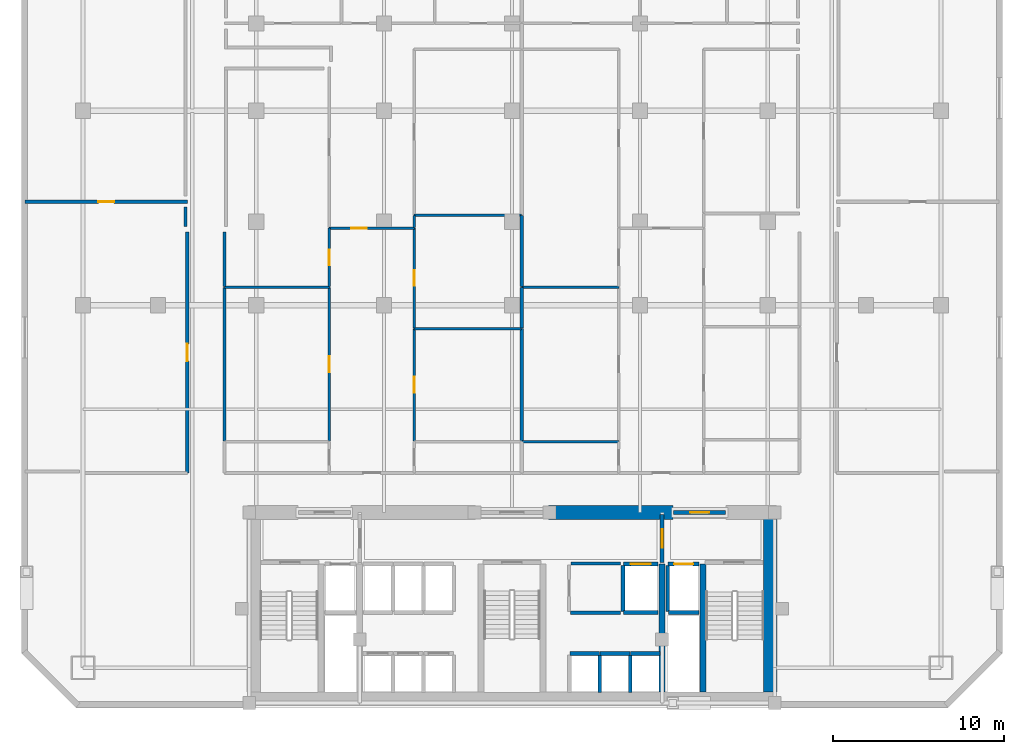
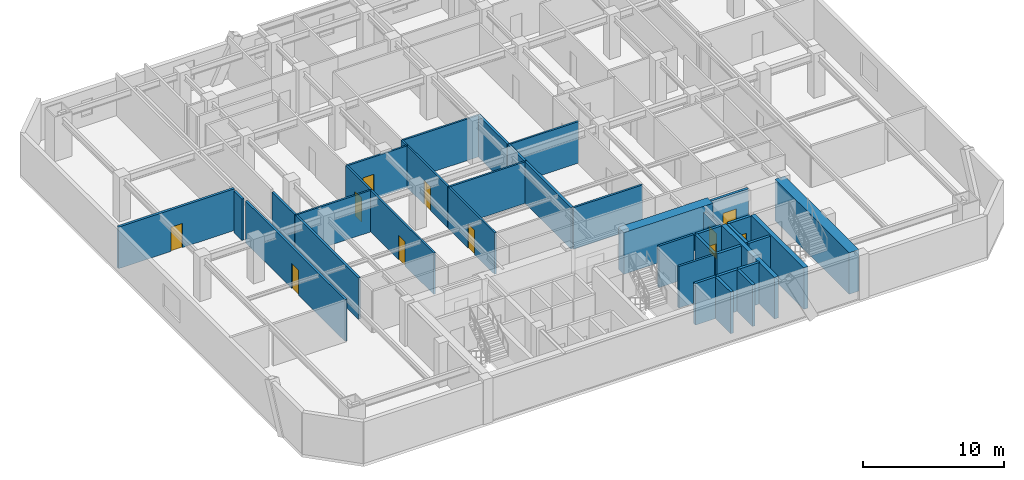
# One storey, part 4 of 8: 38 walls, 11 doors, 11 openings.
"""IFC4 building model written with IfcOpenShell, lengths in metres."""

from ifc_helpers import new_model, si_unit, direction, frame, frame_2d, origin, place, context, subcontext, project, spatial, rectangle, extrude, material, layer, layer_set, type_object, element, fill, save


model = new_model("IFC4")

# Units and contexts
model_context = context("Model", 3, precision=1e-05, world=origin(), true_north=direction((0.0, 1.0)))
body_context = subcontext(model_context, "Body", "Model", "MODEL_VIEW")
ifc_project = project(units=[si_unit("LENGTHUNIT", "METRE"), si_unit("AREAUNIT", "SQUARE_METRE"), si_unit("VOLUMEUNIT", "CUBIC_METRE"), si_unit("PLANEANGLEUNIT", "RADIAN"), si_unit("MASSUNIT", "GRAM", prefix="KILO")], contexts=[model_context])

# Site, building, storey
site_placement = place(None, origin())
site = spatial("IfcSite", under=ifc_project, at=site_placement, CompositionType="ELEMENT")
building_placement = place(site_placement, origin())
building = spatial("IfcBuilding", under=site, at=building_placement, Name="Ventersveld Concourse Tower", CompositionType="ELEMENT")
storey_placement = place(building_placement, frame((0.0, 0.0, 37.5)))
storey = spatial("IfcBuildingStorey", under=building, at=storey_placement, Name="L08", CompositionType="ELEMENT", Elevation=37.5)

# Walls
ifc_material_1 = material(Name="Concrete C60/75", Category="concrete")
ifc_layer_1 = layer(ifc_material_1, 0.35009765625)
ifc_layer_set_1 = layer_set([ifc_layer_1], Name="Concrete C60/75")
wall_type_1 = type_object("IfcWallType", Name="WL-CORE-350L", PredefinedType="SHEAR", material=ifc_layer_set_1)
for number, where, z_axis, x_axis, name in (
    (1, (37.550048828125, 0.919921875, 0.0), (0.0, 0.0, 1.0), (0.0, 1.0, 0.0), "L08 Core Internal Shear Web W-SVL-W"),
    (2, (39.9599609375, 0.919921875, 0.0), (0.0, 0.0, 1.0), (0.0, 1.0, 0.0), "L08 Core Internal Shear Web W-ST2-W"),
):
    element("IfcWall", number, at=place(storey_placement, frame(where, z_axis=z_axis, x_axis=x_axis)), inside=storey, type_object=wall_type_1, Name=name, PredefinedType="SHEAR", context=body_context, shape_type="SweptSolid", body=[
        extrude(rectangle(XDim=7.5, YDim=0.35009765625, at=frame_2d((3.75, 0.0))), origin(), (0.0, 0.0, 1.0), 3.60009765625),
    ])
ifc_layer_2 = layer(ifc_material_1, 0.800048828125)
ifc_layer_set_2 = layer_set([ifc_layer_2], Name="Concrete C60/75")
wall_type_2 = type_object("IfcWallType", Name="WL-CORE-800", PredefinedType="SHEAR", material=ifc_layer_set_2)
wall_1_placement = place(storey_placement, frame((43.89990234375, 0.919921875, 0.0), z_axis=(0.0, 0.0, 1.0), x_axis=(0.0, 1.0, 0.0)))
element("IfcWall", 3, at=wall_1_placement, inside=storey, type_object=wall_type_2, Name="L08 Rear Core East Shear Wall", PredefinedType="SHEAR", context=body_context, shape_type="SweptSolid", body=[
    extrude(rectangle(XDim=10.530029296875, YDim=0.800048828125, at=frame_2d((5.26513671875, 0.0))), origin(), (0.0, 0.0, 1.0), 3.60009765625),
])
wall_2_placement = place(storey_placement, frame((30.89990234375, 11.449951171875, 0.0), z_axis=(0.0, 0.0, 1.0), x_axis=(1.0, 0.0, 0.0)))
element("IfcWall", 4, at=wall_2_placement, inside=storey, type_object=wall_type_2, Name="L08 Rear Core North Shear Wall NMR", PredefinedType="SHEAR", context=body_context, shape_type="SweptSolid", body=[
    extrude(rectangle(XDim=7.300048828125, YDim=0.800048828125, at=frame_2d((3.64990234375, 0.0))), origin(), (0.0, 0.0, 1.0), 3.60009765625),
])
ifc_material_2 = material(Name="Fire-rated autoclaved aerated masonry blockwork", Category="masonry")
ifc_layer_3 = layer(ifc_material_2, 0.179931640625)
ifc_layer_set_3 = layer_set([ifc_layer_3], Name="Fire-rated autoclaved aerated masonry blockwork")
wall_type_3 = type_object("IfcWallType", Name="WL-CORR-180", PredefinedType="PARTITIONING", material=ifc_layer_set_3)
wall_3_placement = place(storey_placement, frame((32.219970703125, 8.4599609375, 0.0), z_axis=(0.0, 0.0, 1.0), x_axis=(1.0, 0.0, 0.0)))
element("IfcWall", 5, at=wall_3_placement, inside=storey, type_object=wall_type_3, Name="L08 Core Top Wall SP-L08-CBAY1", PredefinedType="PARTITIONING", context=body_context, shape_type="SweptSolid", body=[
    extrude(rectangle(XDim=2.880126953125, YDim=0.179931640625, at=frame_2d((1.43994140625, 0.0))), origin(), (0.0, 0.0, 1.0), 3.60009765625),
])
wall_4_placement = place(storey_placement, frame((32.179931640625, 5.570068359375, 0.0), z_axis=(0.0, 0.0, 1.0), x_axis=(1.0, 0.0, 0.0)))
element("IfcWall", 6, at=wall_4_placement, inside=storey, type_object=wall_type_3, Name="L08 Core Bot Wall SP-L08-CBAY1", PredefinedType="PARTITIONING", context=body_context, shape_type="SweptSolid", body=[
    extrude(rectangle(XDim=2.920166015625, YDim=0.179931640625, at=frame_2d((1.4599609375, 0.0))), origin(), (0.0, 0.0, 1.0), 3.60009765625),
])

# Wall, opening, door
wall_5_placement = place(storey_placement, frame((9.7099609375, 13.764892578125, 0.0), z_axis=(0.0, 0.0, 1.0), x_axis=(0.0, 1.0, 0.0)))
wall_5 = element("IfcWall", 7, at=wall_5_placement, inside=storey, type_object=wall_type_3, Name="L08 Interior Partition SP-L08-COR-SP-L08-NWLNG1", PredefinedType="PARTITIONING", context=body_context, shape_type="SweptSolid", body=[
    extrude(rectangle(XDim=14.130126953125, YDim=0.179931640625, at=frame_2d((7.06494140625, 0.0))), origin(), (0.0, 0.0, 1.0), 3.60009765625),
])
opening_1_placement = place(wall_5_placement, frame((6.56494140625, 0.0, 0.0)))
opening_1 = element("IfcOpeningElement", 8, at=opening_1_placement, cuts=wall_5, Name="Opening FD3", PredefinedType="OPENING", context=body_context, shape_type="SweptSolid", body=[
    extrude(rectangle(XDim=1.0, YDim=2.14990234375, at=frame_2d((0.5, 1.074951171875))), frame((0.0, 0.10009765625, 0.0), z_axis=(0.0, -1.0, 0.0), x_axis=(1.0, 0.0, 0.0)), (0.0, 0.0, 1.0), 0.199951171875),
])
ifc_material_3 = material(Name="Solid-core hardwood veneer timber", Category="wood")
door_type_1 = type_object("IfcDoorType", Name="DR-FLAT-100", OperationType="NOTDEFINED", PredefinedType="DOOR", material=ifc_material_3)
door_1_placement = place(opening_1_placement, origin())
door_1 = element("IfcDoor", 9, at=door_1_placement, inside=storey, type_object=door_type_1, Name="L08 Interior Door SP-L08-COR to SP-L08-NWLNG1 (D-L08-0265)", OperationType="SINGLE_SWING_LEFT", OverallHeight=2.14990234375, OverallWidth=1.0, PredefinedType="DOOR", context=body_context, shape_type="SweptSolid", body=[
    extrude(rectangle(XDim=1.0, YDim=2.14990234375, at=frame_2d((0.5, 1.074951171875))), frame((0.0, 0.02490234375, 0.0), z_axis=(0.0, -1.0, 0.0), x_axis=(1.0, 0.0, 0.0)), (0.0, 0.0, 1.0), 0.050048828125),
])
fill(opening_1, door_1)

# Walls
wall_6_placement = place(storey_placement, frame((11.889892578125, 15.635009765625, 0.0), z_axis=(0.0, 0.0, 1.0), x_axis=(0.0, 1.0, 0.0)))
element("IfcWall", 10, at=wall_6_placement, inside=storey, type_object=wall_type_3, Name="L08 Interior Partition SP-L08-COR-SP-L08-08N1-DENL", PredefinedType="PARTITIONING", context=body_context, shape_type="SweptSolid", body=[
    extrude(rectangle(XDim=9.019775390625, YDim=0.179931640625, at=frame_2d((4.509765625, 0.0))), origin(), (0.0, 0.0, 1.0), 3.60009765625),
])
wall_7_placement = place(storey_placement, frame((11.889892578125, 24.684814453125, 0.0), z_axis=(0.0, 0.0, 1.0), x_axis=(0.0, 1.0, 0.0)))
element("IfcWall", 11, at=wall_7_placement, inside=storey, type_object=wall_type_3, Name="L08 Interior Partition SP-L08-COR-SP-L08-08N1-DENL2", PredefinedType="PARTITIONING", context=body_context, shape_type="SweptSolid", body=[
    extrude(rectangle(XDim=3.210205078125, YDim=0.179931640625, at=frame_2d((1.60498046875, 0.0))), origin(), (0.0, 0.0, 1.0), 3.60009765625),
])
wall_8_placement = place(storey_placement, frame((9.6201171875, 29.344970703125, 0.0), z_axis=(0.0, 0.0, 1.0), x_axis=(0.0, -1.0, 0.0)))
element("IfcWall", 12, at=wall_8_placement, inside=storey, type_object=wall_type_3, Name="L08 Room Enclosure Wall SP-L08-NWLNG1", PredefinedType="PARTITIONING", context=body_context, shape_type="SweptSolid", body=[
    extrude(rectangle(XDim=1.135009765625, YDim=0.179931640625, at=frame_2d((0.5673828125, 0.0))), origin(), (0.0, 0.0, 1.0), 3.60009765625),
])

# Wall, opening, door
ifc_layer_4 = layer(ifc_material_2, 0.199951171875)
ifc_layer_set_4 = layer_set([ifc_layer_4], Name="Fire-rated autoclaved aerated masonry blockwork")
wall_type_4 = type_object("IfcWallType", Name="WL-DEMISE-200", PredefinedType="PARTITIONING", material=ifc_layer_set_4)
wall_9_placement = place(storey_placement, frame((0.2099609375, 29.669921875, 0.0), z_axis=(0.0, 0.0, 1.0), x_axis=(1.0, 0.0, 0.0)))
wall_9 = element("IfcWall", 13, at=wall_9_placement, inside=storey, type_object=wall_type_4, Name="L08 Interior Partition SP-L08-NWLNG1-SP-L08-NWLNG2", PredefinedType="PARTITIONING", context=body_context, shape_type="SweptSolid", body=[
    extrude(rectangle(XDim=9.505126953125, YDim=0.199951171875, at=frame_2d((4.75244140625, 0.0))), origin(), (0.0, 0.0, 1.0), 3.60009765625),
])
opening_2_placement = place(wall_9_placement, frame((4.29248046875, 0.0, 0.0)))
opening_2 = element("IfcOpeningElement", 14, at=opening_2_placement, cuts=wall_9, Name="Opening ID1", PredefinedType="OPENING", context=body_context, shape_type="SweptSolid", body=[
    extrude(rectangle(XDim=0.919921875, YDim=2.10009765625, at=frame_2d((0.4599609375, 1.050048828125))), frame((0.0, 0.10986328125, 0.0), z_axis=(0.0, -1.0, 0.0), x_axis=(1.0, 0.0, 0.0)), (0.0, 0.0, 1.0), 0.219970703125),
])
door_type_2 = type_object("IfcDoorType", Name="DR-ROOM-092", OperationType="NOTDEFINED", PredefinedType="DOOR", material=ifc_material_3)
door_2_placement = place(opening_2_placement, origin())
door_2 = element("IfcDoor", 15, at=door_2_placement, inside=storey, type_object=door_type_2, Name="L08 Interior Door SP-L08-NWLNG1 to SP-L08-NWLNG2 (D-L08-0269)", OperationType="SINGLE_SWING_LEFT", OverallHeight=2.10009765625, OverallWidth=0.919921875, PredefinedType="DOOR", context=body_context, shape_type="SweptSolid", body=[
    extrude(rectangle(XDim=0.919921875, YDim=2.10009765625, at=frame_2d((0.4599609375, 1.050048828125))), frame((0.0, 0.02490234375, 0.0), z_axis=(0.0, -1.0, 0.0), x_axis=(1.0, 0.0, 0.0)), (0.0, 0.0, 1.0), 0.050048828125),
])
fill(opening_2, door_2)

# Walls
wall_10_placement = place(storey_placement, frame((29.314208984375, 15.635009765625, 0.0), z_axis=(0.0, 0.0, 1.0), x_axis=(0.0, 1.0, 0.0)))
element("IfcWall", 16, at=wall_10_placement, inside=storey, type_object=wall_type_4, Name="L08 Interior Partition SP-L08-08N1-DENR-SP-L08-08N2-DENL", PredefinedType="PARTITIONING", context=body_context, shape_type="SweptSolid", body=[
    extrude(rectangle(XDim=6.602783203125, YDim=0.199951171875, at=frame_2d((3.30126953125, 0.0))), origin(), (0.0, 0.0, 1.0), 3.60009765625),
])
wall_11_placement = place(storey_placement, frame((29.314208984375, 22.267822265625, 0.0), z_axis=(0.0, 0.0, 1.0), x_axis=(0.0, 1.0, 0.0)))
element("IfcWall", 17, at=wall_11_placement, inside=storey, type_object=wall_type_4, Name="L08 Interior Partition SP-L08-08N1-DENS-SP-L08-08N2-DENL", PredefinedType="PARTITIONING", context=body_context, shape_type="SweptSolid", body=[
    extrude(rectangle(XDim=2.386962890625, YDim=0.199951171875, at=frame_2d((1.193359375, 0.0))), origin(), (0.0, 0.0, 1.0), 3.60009765625),
])
wall_12_placement = place(storey_placement, frame((29.314208984375, 24.684814453125, 0.0), z_axis=(0.0, 0.0, 1.0), x_axis=(0.0, 1.0, 0.0)))
element("IfcWall", 18, at=wall_12_placement, inside=storey, type_object=wall_type_4, Name="L08 Interior Partition SP-L08-08N1-DENS-SP-L08-08N2-DENL2", PredefinedType="PARTITIONING", context=body_context, shape_type="SweptSolid", body=[
    extrude(rectangle(XDim=4.18603515625, YDim=0.199951171875, at=frame_2d((2.093017578125, 0.0))), origin(), (0.0, 0.0, 1.0), 3.60009765625),
])
ifc_layer_5 = layer(ifc_material_2, 0.219970703125)
ifc_layer_set_5 = layer_set([ifc_layer_5], Name="Fire-rated autoclaved aerated masonry blockwork")
wall_type_5 = type_object("IfcWallType", Name="WL-HOIST-220", PredefinedType="SOLIDWALL", material=ifc_layer_set_5)
wall_13_placement = place(storey_placement, frame((37.919921875, 5.590087890625, 0.0), z_axis=(0.0, 0.0, 1.0), x_axis=(1.0, 0.0, 0.0)))
element("IfcWall", 19, at=wall_13_placement, inside=storey, type_object=wall_type_5, Name="L08 Lift Hoistway Back Wall FFL-02", PredefinedType="SOLIDWALL", context=body_context, shape_type="SweptSolid", body=[
    extrude(rectangle(XDim=1.780029296875, YDim=0.219970703125, at=frame_2d((0.89013671875, 0.0))), origin(), (0.0, 0.0, 1.0), 3.60009765625),
])
wall_14_placement = place(storey_placement, frame((37.8798828125, 5.64990234375, 0.0), z_axis=(0.0, 0.0, 1.0), x_axis=(0.0, 1.0, 0.0)))
element("IfcWall", 20, at=wall_14_placement, inside=storey, type_object=wall_type_5, Name="L08 Lift Hoistway Side Wall FFL-02W", PredefinedType="SOLIDWALL", context=body_context, shape_type="SweptSolid", body=[
    extrude(rectangle(XDim=2.7001953125, YDim=0.219970703125, at=frame_2d((1.35009765625, 0.0))), origin(), (0.0, 0.0, 1.0), 3.60009765625),
])

# Wall, opening, door
wall_15_placement = place(storey_placement, frame((37.89990234375, 8.429931640625, 0.0), z_axis=(0.0, 0.0, 1.0), x_axis=(1.0, 0.0, 0.0)))
wall_15 = element("IfcWall", 21, at=wall_15_placement, inside=storey, type_object=wall_type_5, Name="L08 Lift Hoistway Front Wall FFL-02", PredefinedType="SOLIDWALL", context=body_context, shape_type="SweptSolid", body=[
    extrude(rectangle(XDim=1.820068359375, YDim=0.219970703125, at=frame_2d((0.91015625, 0.0))), origin(), (0.0, 0.0, 1.0), 3.60009765625),
])
opening_3_placement = place(wall_15_placement, frame((0.35009765625, 0.0, 0.0)))
opening_3 = element("IfcOpeningElement", 22, at=opening_3_placement, cuts=wall_15, Name="Opening LD1", PredefinedType="OPENING", context=body_context, shape_type="SweptSolid", body=[
    extrude(rectangle(XDim=1.1201171875, YDim=2.25, at=frame_2d((0.56005859375, 1.125))), frame((0.0, 0.1201171875, 0.0), z_axis=(0.0, -1.0, 0.0), x_axis=(1.0, 0.0, 0.0)), (0.0, 0.0, 1.0), 0.239990234375),
])
ifc_material_4 = material(Name="Brushed stainless steel 316", Category="steel")
door_type_3 = type_object("IfcDoorType", Name="LD-FF-112", OperationType="SLIDING_TO_LEFT", PredefinedType="DOOR", material=ifc_material_4)
door_3_placement = place(opening_3_placement, origin())
door_3 = element("IfcDoor", 23, at=door_3_placement, inside=storey, type_object=door_type_3, Name="L08 Lift landing door FFL-02 (LD-L08-FFL-02)", OperationType="SLIDING_TO_RIGHT", OverallHeight=2.25, OverallWidth=1.1201171875, PredefinedType="DOOR", context=body_context, shape_type="SweptSolid", body=[
    extrude(rectangle(XDim=1.1201171875, YDim=2.25, at=frame_2d((0.56005859375, 1.125))), frame((0.0, 0.02490234375, 0.0), z_axis=(0.0, -1.0, 0.0), x_axis=(1.0, 0.0, 0.0)), (0.0, 0.0, 1.0), 0.050048828125),
])
fill(opening_3, door_3)

# Walls
wall_16_placement = place(storey_placement, frame((35.300048828125, 5.590087890625, 0.0), z_axis=(0.0, 0.0, 1.0), x_axis=(1.0, 0.0, 0.0)))
element("IfcWall", 24, at=wall_16_placement, inside=storey, type_object=wall_type_5, Name="L08 Lift Hoistway Back Wall SVL-01", PredefinedType="SOLIDWALL", context=body_context, shape_type="SweptSolid", body=[
    extrude(rectangle(XDim=2.0, YDim=0.219970703125, at=frame_2d((1.0, 0.0))), origin(), (0.0, 0.0, 1.0), 3.60009765625),
])
wall_17_placement = place(storey_placement, frame((35.260009765625, 5.64990234375, 0.0), z_axis=(0.0, 0.0, 1.0), x_axis=(0.0, 1.0, 0.0)))
element("IfcWall", 25, at=wall_17_placement, inside=storey, type_object=wall_type_5, Name="L08 Lift Hoistway Side Wall SVL-01W", PredefinedType="SOLIDWALL", context=body_context, shape_type="SweptSolid", body=[
    extrude(rectangle(XDim=2.7001953125, YDim=0.219970703125, at=frame_2d((1.35009765625, 0.0))), origin(), (0.0, 0.0, 1.0), 3.60009765625),
])

# Wall, opening, door
wall_18_placement = place(storey_placement, frame((35.280029296875, 8.429931640625, 0.0), z_axis=(0.0, 0.0, 1.0), x_axis=(1.0, 0.0, 0.0)))
wall_18 = element("IfcWall", 26, at=wall_18_placement, inside=storey, type_object=wall_type_5, Name="L08 Lift Hoistway Front Wall SVL-01", PredefinedType="SOLIDWALL", context=body_context, shape_type="SweptSolid", body=[
    extrude(rectangle(XDim=2.0400390625, YDim=0.219970703125, at=frame_2d((1.02001953125, 0.0))), origin(), (0.0, 0.0, 1.0), 3.60009765625),
])
opening_4_placement = place(wall_18_placement, frame((0.429931640625, 0.0, 0.0)))
opening_4 = element("IfcOpeningElement", 27, at=opening_4_placement, cuts=wall_18, Name="Opening LD2", PredefinedType="OPENING", context=body_context, shape_type="SweptSolid", body=[
    extrude(rectangle(XDim=1.179931640625, YDim=2.199951171875, at=frame_2d((0.58984375, 1.10009765625))), frame((0.0, 0.1201171875, 0.0), z_axis=(0.0, -1.0, 0.0), x_axis=(1.0, 0.0, 0.0)), (0.0, 0.0, 1.0), 0.239990234375),
])
door_type_4 = type_object("IfcDoorType", Name="LD-PAX-118", OperationType="SLIDING_TO_LEFT", PredefinedType="DOOR", material=ifc_material_4)
door_4_placement = place(opening_4_placement, origin())
door_4 = element("IfcDoor", 28, at=door_4_placement, inside=storey, type_object=door_type_4, Name="L08 Lift landing door SVL-01 (LD-L08-SVL-01)", OperationType="SLIDING_TO_LEFT", OverallHeight=2.199951171875, OverallWidth=1.179931640625, PredefinedType="DOOR", context=body_context, shape_type="SweptSolid", body=[
    extrude(rectangle(XDim=1.179931640625, YDim=2.199951171875, at=frame_2d((0.58984375, 1.10009765625))), frame((0.0, 0.02490234375, 0.0), z_axis=(0.0, -1.0, 0.0), x_axis=(1.0, 0.0, 0.0)), (0.0, 0.0, 1.0), 0.050048828125),
])
fill(opening_4, door_4)

# Walls
wall_19_placement = place(storey_placement, frame((33.89990234375, 0.89990234375, 0.0), z_axis=(0.0, 0.0, 1.0), x_axis=(0.0, 1.0, 0.0)))
element("IfcWall", 29, at=wall_19_placement, inside=storey, type_object=wall_type_5, Name="L08 Lift Hoistway Side Wall PM-01E", PredefinedType="SOLIDWALL", context=body_context, shape_type="SweptSolid", body=[
    extrude(rectangle(XDim=2.2001953125, YDim=0.219970703125, at=frame_2d((1.10009765625, 0.0))), origin(), (0.0, 0.0, 1.0), 3.60009765625),
])
wall_20_placement = place(storey_placement, frame((32.139892578125, 3.179931640625, 0.0), z_axis=(0.0, 0.0, 1.0), x_axis=(1.0, 0.0, 0.0)))
element("IfcWall", 30, at=wall_20_placement, inside=storey, type_object=wall_type_5, Name="L08 Lift Hoistway Front Wall PM-01", PredefinedType="SOLIDWALL", context=body_context, shape_type="SweptSolid", body=[
    extrude(rectangle(XDim=1.739990234375, YDim=0.219970703125, at=frame_2d((0.8701171875, 0.0))), origin(), (0.0, 0.0, 1.0), 3.60009765625),
])
wall_21_placement = place(storey_placement, frame((35.679931640625, 0.89990234375, 0.0), z_axis=(0.0, 0.0, 1.0), x_axis=(0.0, 1.0, 0.0)))
element("IfcWall", 31, at=wall_21_placement, inside=storey, type_object=wall_type_5, Name="L08 Lift Hoistway Side Wall PM-02E", PredefinedType="SOLIDWALL", context=body_context, shape_type="SweptSolid", body=[
    extrude(rectangle(XDim=2.2001953125, YDim=0.219970703125, at=frame_2d((1.10009765625, 0.0))), origin(), (0.0, 0.0, 1.0), 3.60009765625),
])
for number, where, z_axis, x_axis, name in (
    (32, (33.919921875, 3.179931640625, 0.0), (0.0, 0.0, 1.0), (1.0, 0.0, 0.0), "L08 Lift Hoistway Front Wall PM-02"),
    (33, (35.699951171875, 3.179931640625, 0.0), (0.0, 0.0, 1.0), (1.0, 0.0, 0.0), "L08 Lift Hoistway Front Wall PM-03"),
):
    element("IfcWall", number, at=place(storey_placement, frame(where, z_axis=z_axis, x_axis=x_axis)), inside=storey, type_object=wall_type_5, Name=name, PredefinedType="SOLIDWALL", context=body_context, shape_type="SweptSolid", body=[
        extrude(rectangle(XDim=1.739990234375, YDim=0.219970703125, at=frame_2d((0.8701171875, 0.0))), origin(), (0.0, 0.0, 1.0), 3.60009765625),
    ])

# Wall, opening, door
wall_22_placement = place(storey_placement, frame((37.550048828125, 8.52001953125, 0.0), z_axis=(0.0, 0.0, 1.0), x_axis=(0.0, 1.0, 0.0)))
wall_22 = element("IfcWall", 34, at=wall_22_placement, inside=storey, type_object=wall_type_5, Name="L08 Firefighting Lobby Smoke-Stop Wall FFLE-SEP", PredefinedType="SOLIDWALL", context=body_context, shape_type="SweptSolid", body=[
    extrude(rectangle(XDim=2.800048828125, YDim=0.219970703125, at=frame_2d((1.39990234375, 0.0))), origin(), (0.0, 0.0, 1.0), 3.055419921875),
])
opening_5_placement = place(wall_22_placement, frame((0.85009765625, 0.0, 0.0)))
opening_5 = element("IfcOpeningElement", 35, at=opening_5_placement, cuts=wall_22, Name="Opening FD2", PredefinedType="OPENING", context=body_context, shape_type="SweptSolid", body=[
    extrude(rectangle(XDim=1.10009765625, YDim=2.199951171875, at=frame_2d((0.550048828125, 1.10009765625))), frame((0.0, 0.1201171875, 0.0), z_axis=(0.0, -1.0, 0.0), x_axis=(1.0, 0.0, 0.0)), (0.0, 0.0, 1.0), 0.239990234375),
])
ifc_material_5 = material(Name="Galvanised painted steel", Category="steel")
door_type_5 = type_object("IfcDoorType", Name="DR-FFL-110", OperationType="NOTDEFINED", PredefinedType="DOOR", material=ifc_material_5)
door_5_placement = place(opening_5_placement, origin())
door_5 = element("IfcDoor", 36, at=door_5_placement, inside=storey, type_object=door_type_5, Name="L08 Firefighting Lobby Door FFLE-SEP (FD-L08-0260)", OperationType="SINGLE_SWING_RIGHT", OverallHeight=2.199951171875, OverallWidth=1.10009765625, PredefinedType="DOOR", context=body_context, shape_type="SweptSolid", body=[
    extrude(rectangle(XDim=1.10009765625, YDim=2.199951171875, at=frame_2d((0.550048828125, 1.10009765625))), frame((0.0, 0.02490234375, 0.0), z_axis=(0.0, -1.0, 0.0), x_axis=(1.0, 0.0, 0.0)), (0.0, 0.0, 1.0), 0.050048828125),
])
fill(opening_5, door_5)

wall_23_placement = place(storey_placement, frame((38.22998046875, 11.449951171875, 0.0), z_axis=(0.0, 0.0, 1.0), x_axis=(1.0, 0.0, 0.0)))
wall_23 = element("IfcWall", 37, at=wall_23_placement, inside=storey, type_object=wall_type_5, Name="L08 Core North Fire Portal FFLE-OUT", PredefinedType="SOLIDWALL", context=body_context, shape_type="SweptSolid", body=[
    extrude(rectangle(XDim=3.0400390625, YDim=0.219970703125, at=frame_2d((1.52001953125, 0.0))), origin(), (0.0, 0.0, 1.0), 3.60009765625),
])
opening_6_placement = place(wall_23_placement, frame((0.969970703125, 0.0, 0.0)))
opening_6 = element("IfcOpeningElement", 38, at=opening_6_placement, cuts=wall_23, Name="Opening FD2", PredefinedType="OPENING", context=body_context, shape_type="SweptSolid", body=[
    extrude(rectangle(XDim=1.10009765625, YDim=2.199951171875, at=frame_2d((0.550048828125, 1.10009765625))), frame((0.0, 0.1201171875, 0.0), z_axis=(0.0, -1.0, 0.0), x_axis=(1.0, 0.0, 0.0)), (0.0, 0.0, 1.0), 0.239990234375),
])
door_6_placement = place(opening_6_placement, origin())
door_6 = element("IfcDoor", 39, at=door_6_placement, inside=storey, type_object=door_type_5, Name="L08 Core Lobby Fire Door FFLE-OUT (FD-L08-0263)", OperationType="SINGLE_SWING_LEFT", OverallHeight=2.199951171875, OverallWidth=1.10009765625, PredefinedType="DOOR", context=body_context, shape_type="SweptSolid", body=[
    extrude(rectangle(XDim=1.10009765625, YDim=2.199951171875, at=frame_2d((0.550048828125, 1.10009765625))), frame((0.0, 0.02490234375, 0.0), z_axis=(0.0, -1.0, 0.0), x_axis=(1.0, 0.0, 0.0)), (0.0, 0.0, 1.0), 0.050048828125),
])
fill(opening_6, door_6)

ifc_material_6 = material(Name="Autoclaved aerated masonry blockwork", Category="masonry")
ifc_layer_6 = layer(ifc_material_6, 0.14990234375)
ifc_layer_set_6 = layer_set([ifc_layer_6], Name="Autoclaved aerated masonry blockwork")
wall_type_6 = type_object("IfcWallType", Name="WL-INT-150", PredefinedType="PARTITIONING", material=ifc_layer_set_6)
wall_24_placement = place(storey_placement, frame((18.035400390625, 28.11669921875, 0.0), z_axis=(0.0, 0.0, 1.0), x_axis=(1.0, 0.0, 0.0)))
wall_24 = element("IfcWall", 40, at=wall_24_placement, inside=storey, type_object=wall_type_6, Name="L08 Interior Partition SP-L08-08N1-FOY-SP-L08-08N1-LIV", PredefinedType="PARTITIONING", context=body_context, shape_type="SweptSolid", body=[
    extrude(rectangle(XDim=4.989990234375, YDim=0.14990234375, at=frame_2d((2.4951171875, 0.0))), origin(), (0.0, 0.0, 1.0), 3.60009765625),
])
opening_7_placement = place(wall_24_placement, frame((1.28662109375, 0.0, 0.0)))
opening_7 = element("IfcOpeningElement", 41, at=opening_7_placement, cuts=wall_24, Name="Opening ID1", PredefinedType="OPENING", context=body_context, shape_type="SweptSolid", body=[
    extrude(rectangle(XDim=0.919921875, YDim=2.10009765625, at=frame_2d((0.4599609375, 1.050048828125))), frame((0.0, 0.0849609375, 0.0), z_axis=(0.0, -1.0, 0.0), x_axis=(1.0, 0.0, 0.0)), (0.0, 0.0, 1.0), 0.169921875),
])
door_7_placement = place(opening_7_placement, origin())
door_7 = element("IfcDoor", 42, at=door_7_placement, inside=storey, type_object=door_type_2, Name="L08 Interior Door SP-L08-08N1-FOY to SP-L08-08N1-LIV (D-L08-0271)", OperationType="SINGLE_SWING_LEFT", OverallHeight=2.10009765625, OverallWidth=0.919921875, PredefinedType="DOOR", context=body_context, shape_type="SweptSolid", body=[
    extrude(rectangle(XDim=0.919921875, YDim=2.10009765625, at=frame_2d((0.4599609375, 1.050048828125))), frame((0.0, 0.02490234375, 0.0), z_axis=(0.0, -1.0, 0.0), x_axis=(1.0, 0.0, 0.0)), (0.0, 0.0, 1.0), 0.050048828125),
])
fill(opening_7, door_7)

wall_25_placement = place(storey_placement, frame((18.040283203125, 15.635009765625, 0.0), z_axis=(0.0, 0.0, 1.0), x_axis=(0.0, 1.0, 0.0)))
wall_25 = element("IfcWall", 43, at=wall_25_placement, inside=storey, type_object=wall_type_6, Name="L08 Interior Partition SP-L08-08N1-FOY-SP-L08-08N1-DENL", PredefinedType="PARTITIONING", context=body_context, shape_type="SweptSolid", body=[
    extrude(rectangle(XDim=9.019775390625, YDim=0.14990234375, at=frame_2d((4.509765625, 0.0))), origin(), (0.0, 0.0, 1.0), 3.60009765625),
])
opening_8_placement = place(wall_25_placement, frame((4.050048828125, 0.0, 0.0)))
opening_8 = element("IfcOpeningElement", 44, at=opening_8_placement, cuts=wall_25, Name="Opening ID1", PredefinedType="OPENING", context=body_context, shape_type="SweptSolid", body=[
    extrude(rectangle(XDim=0.919921875, YDim=2.10009765625, at=frame_2d((0.4599609375, 1.050048828125))), frame((0.0, 0.0849609375, 0.0), z_axis=(0.0, -1.0, 0.0), x_axis=(1.0, 0.0, 0.0)), (0.0, 0.0, 1.0), 0.169921875),
])
door_8_placement = place(opening_8_placement, origin())
door_8 = element("IfcDoor", 45, at=door_8_placement, inside=storey, type_object=door_type_2, Name="L08 Interior Door SP-L08-08N1-FOY to SP-L08-08N1-DENL (D-L08-0273)", OperationType="SINGLE_SWING_LEFT", OverallHeight=2.10009765625, OverallWidth=0.919921875, PredefinedType="DOOR", context=body_context, shape_type="SweptSolid", body=[
    extrude(rectangle(XDim=0.919921875, YDim=2.10009765625, at=frame_2d((0.4599609375, 1.050048828125))), frame((0.0, 0.02490234375, 0.0), z_axis=(0.0, -1.0, 0.0), x_axis=(1.0, 0.0, 0.0)), (0.0, 0.0, 1.0), 0.050048828125),
])
fill(opening_8, door_8)

wall_26_placement = place(storey_placement, frame((18.040283203125, 24.684814453125, 0.0), z_axis=(0.0, 0.0, 1.0), x_axis=(0.0, 1.0, 0.0)))
wall_26 = element("IfcWall", 46, at=wall_26_placement, inside=storey, type_object=wall_type_6, Name="L08 Interior Partition SP-L08-08N1-FOY-SP-L08-08N1-DENL2", PredefinedType="PARTITIONING", context=body_context, shape_type="SweptSolid", body=[
    extrude(rectangle(XDim=3.436767578125, YDim=0.14990234375, at=frame_2d((1.71826171875, 0.0))), origin(), (0.0, 0.0, 1.0), 3.60009765625),
])
opening_9_placement = place(wall_26_placement, frame((1.25830078125, 0.0, 0.0)))
opening_9 = element("IfcOpeningElement", 47, at=opening_9_placement, cuts=wall_26, Name="Opening ID1", PredefinedType="OPENING", context=body_context, shape_type="SweptSolid", body=[
    extrude(rectangle(XDim=0.919921875, YDim=2.10009765625, at=frame_2d((0.4599609375, 1.050048828125))), frame((0.0, 0.0849609375, 0.0), z_axis=(0.0, -1.0, 0.0), x_axis=(1.0, 0.0, 0.0)), (0.0, 0.0, 1.0), 0.169921875),
])
door_9_placement = place(opening_9_placement, origin())
door_9 = element("IfcDoor", 48, at=door_9_placement, inside=storey, type_object=door_type_2, Name="L08 Interior Door SP-L08-08N1-FOY to SP-L08-08N1-DENL2 (D-L08-0274)", OperationType="SINGLE_SWING_RIGHT", OverallHeight=2.10009765625, OverallWidth=0.919921875, PredefinedType="DOOR", context=body_context, shape_type="SweptSolid", body=[
    extrude(rectangle(XDim=0.919921875, YDim=2.10009765625, at=frame_2d((0.4599609375, 1.050048828125))), frame((0.0, 0.02490234375, 0.0), z_axis=(0.0, -1.0, 0.0), x_axis=(1.0, 0.0, 0.0)), (0.0, 0.0, 1.0), 0.050048828125),
])
fill(opening_9, door_9)

wall_27_placement = place(storey_placement, frame((23.020263671875, 15.635009765625, 0.0), z_axis=(0.0, 0.0, 1.0), x_axis=(0.0, 1.0, 0.0)))
wall_27 = element("IfcWall", 49, at=wall_27_placement, inside=storey, type_object=wall_type_6, Name="L08 Interior Partition SP-L08-08N1-FOY-SP-L08-08N1-DENR", PredefinedType="PARTITIONING", context=body_context, shape_type="SweptSolid", body=[
    extrude(rectangle(XDim=6.602783203125, YDim=0.14990234375, at=frame_2d((3.30126953125, 0.0))), origin(), (0.0, 0.0, 1.0), 3.60009765625),
])
opening_10_placement = place(wall_27_placement, frame((2.841552734375, 0.0, 0.0)))
opening_10 = element("IfcOpeningElement", 50, at=opening_10_placement, cuts=wall_27, Name="Opening ID1", PredefinedType="OPENING", context=body_context, shape_type="SweptSolid", body=[
    extrude(rectangle(XDim=0.919921875, YDim=2.10009765625, at=frame_2d((0.4599609375, 1.050048828125))), frame((0.0, 0.0849609375, 0.0), z_axis=(0.0, -1.0, 0.0), x_axis=(1.0, 0.0, 0.0)), (0.0, 0.0, 1.0), 0.169921875),
])
door_10_placement = place(opening_10_placement, origin())
door_10 = element("IfcDoor", 51, at=door_10_placement, inside=storey, type_object=door_type_2, Name="L08 Interior Door SP-L08-08N1-FOY to SP-L08-08N1-DENR (D-L08-0276)", OperationType="SINGLE_SWING_RIGHT", OverallHeight=2.10009765625, OverallWidth=0.919921875, PredefinedType="DOOR", context=body_context, shape_type="SweptSolid", body=[
    extrude(rectangle(XDim=0.919921875, YDim=2.10009765625, at=frame_2d((0.4599609375, 1.050048828125))), frame((0.0, 0.02490234375, 0.0), z_axis=(0.0, -1.0, 0.0), x_axis=(1.0, 0.0, 0.0)), (0.0, 0.0, 1.0), 0.050048828125),
])
fill(opening_10, door_10)

wall_28_placement = place(storey_placement, frame((23.020263671875, 22.267822265625, 0.0), z_axis=(0.0, 0.0, 1.0), x_axis=(0.0, 1.0, 0.0)))
wall_28 = element("IfcWall", 52, at=wall_28_placement, inside=storey, type_object=wall_type_6, Name="L08 Interior Partition SP-L08-08N1-FOY-SP-L08-08N1-DENS", PredefinedType="PARTITIONING", context=body_context, shape_type="SweptSolid", body=[
    extrude(rectangle(XDim=5.853759765625, YDim=0.14990234375, at=frame_2d((2.9267578125, 0.0))), origin(), (0.0, 0.0, 1.0), 3.60009765625),
])
opening_11_placement = place(wall_28_placement, frame((2.466796875, 0.0, 0.0)))
opening_11 = element("IfcOpeningElement", 53, at=opening_11_placement, cuts=wall_28, Name="Opening ID1", PredefinedType="OPENING", context=body_context, shape_type="SweptSolid", body=[
    extrude(rectangle(XDim=0.919921875, YDim=2.10009765625, at=frame_2d((0.4599609375, 1.050048828125))), frame((0.0, 0.0849609375, 0.0), z_axis=(0.0, -1.0, 0.0), x_axis=(1.0, 0.0, 0.0)), (0.0, 0.0, 1.0), 0.169921875),
])
door_11_placement = place(opening_11_placement, origin())
door_11 = element("IfcDoor", 54, at=door_11_placement, inside=storey, type_object=door_type_2, Name="L08 Interior Door SP-L08-08N1-FOY to SP-L08-08N1-DENS (D-L08-0277)", OperationType="SINGLE_SWING_LEFT", OverallHeight=2.10009765625, OverallWidth=0.919921875, PredefinedType="DOOR", context=body_context, shape_type="SweptSolid", body=[
    extrude(rectangle(XDim=0.919921875, YDim=2.10009765625, at=frame_2d((0.4599609375, 1.050048828125))), frame((0.0, 0.02490234375, 0.0), z_axis=(0.0, -1.0, 0.0), x_axis=(1.0, 0.0, 0.0)), (0.0, 0.0, 1.0), 0.050048828125),
])
fill(opening_11, door_11)

# Walls
wall_29_placement = place(storey_placement, frame((23.020263671875, 28.151611328125, 0.0), z_axis=(0.0, 0.0, 1.0), x_axis=(0.0, 1.0, 0.0)))
element("IfcWall", 55, at=wall_29_placement, inside=storey, type_object=wall_type_6, Name="L08 Interior Partition SP-L08-08N1-LIV-SP-L08-08N1-DENS", PredefinedType="PARTITIONING", context=body_context, shape_type="SweptSolid", body=[
    extrude(rectangle(XDim=0.71923828125, YDim=0.14990234375, at=frame_2d((0.359619140625, 0.0))), origin(), (0.0, 0.0, 1.0), 3.60009765625),
])
wall_30_placement = place(storey_placement, frame((11.885009765625, 24.64990234375, 0.0), z_axis=(0.0, 0.0, 1.0), x_axis=(1.0, 0.0, 0.0)))
element("IfcWall", 56, at=wall_30_placement, inside=storey, type_object=wall_type_6, Name="L08 Interior Partition SP-L08-08N1-DENL-SP-L08-08N1-DENL2", PredefinedType="PARTITIONING", context=body_context, shape_type="SweptSolid", body=[
    extrude(rectangle(XDim=6.160400390625, YDim=0.14990234375, at=frame_2d((3.080078125, 0.0))), origin(), (0.0, 0.0, 1.0), 3.60009765625),
])
for number, where, z_axis, x_axis, name in (
    (57, (23.015380859375, 22.23291015625, 0.0), (0.0, 0.0, 1.0), (1.0, 0.0, 0.0), "L08 Interior Partition SP-L08-08N1-DENR-SP-L08-08N1-DENS"),
    (58, (23.015380859375, 28.86572265625, 0.0), (0.0, 0.0, 1.0), (1.0, 0.0, 0.0), "L08 Interior Partition SP-L08-08N1-DENS-SP-L08-08N1-DENS2"),
):
    element("IfcWall", number, at=place(storey_placement, frame(where, z_axis=z_axis, x_axis=x_axis)), inside=storey, type_object=wall_type_6, Name=name, PredefinedType="PARTITIONING", context=body_context, shape_type="SweptSolid", body=[
        extrude(rectangle(XDim=6.3037109375, YDim=0.14990234375, at=frame_2d((3.15185546875, 0.0))), origin(), (0.0, 0.0, 1.0), 3.60009765625),
    ])
wall_31_placement = place(storey_placement, frame((29.30908203125, 24.64990234375, 0.0), z_axis=(0.0, 0.0, 1.0), x_axis=(1.0, 0.0, 0.0)))
element("IfcWall", 59, at=wall_31_placement, inside=storey, type_object=wall_type_6, Name="L08 Interior Partition SP-L08-08N2-DENL-SP-L08-08N2-DENL2", PredefinedType="PARTITIONING", context=body_context, shape_type="SweptSolid", body=[
    extrude(rectangle(XDim=5.701416015625, YDim=0.14990234375, at=frame_2d((2.8505859375, 0.0))), origin(), (0.0, 0.0, 1.0), 3.60009765625),
])
ifc_layer_7 = layer(ifc_material_6, 0.1650390625)
ifc_layer_set_7 = layer_set([ifc_layer_7], Name="Autoclaved aerated masonry blockwork")
wall_type_7 = type_object("IfcWallType", Name="WL-WET-165", PredefinedType="PLUMBINGWALL", material=ifc_layer_set_7)
wall_32_placement = place(storey_placement, frame((29.34912109375, 15.60009765625, 0.0), z_axis=(0.0, 0.0, 1.0), x_axis=(1.0, 0.0, 0.0)))
element("IfcWall", 60, at=wall_32_placement, inside=storey, type_object=wall_type_7, Name="L08 Interior Partition SP-L08-08N2-BATH-SP-L08-08N2-DENL", PredefinedType="PLUMBINGWALL", context=body_context, shape_type="SweptSolid", body=[
    extrude(rectangle(XDim=5.661376953125, YDim=0.1650390625, at=frame_2d((2.83056640625, 0.0))), origin(), (0.0, 0.0, 1.0), 3.60009765625),
])

save(model, "model.ifc")
